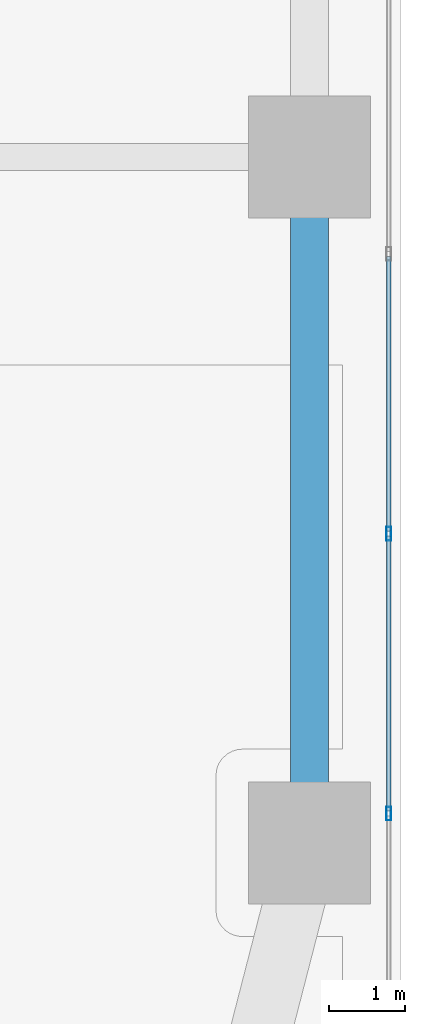
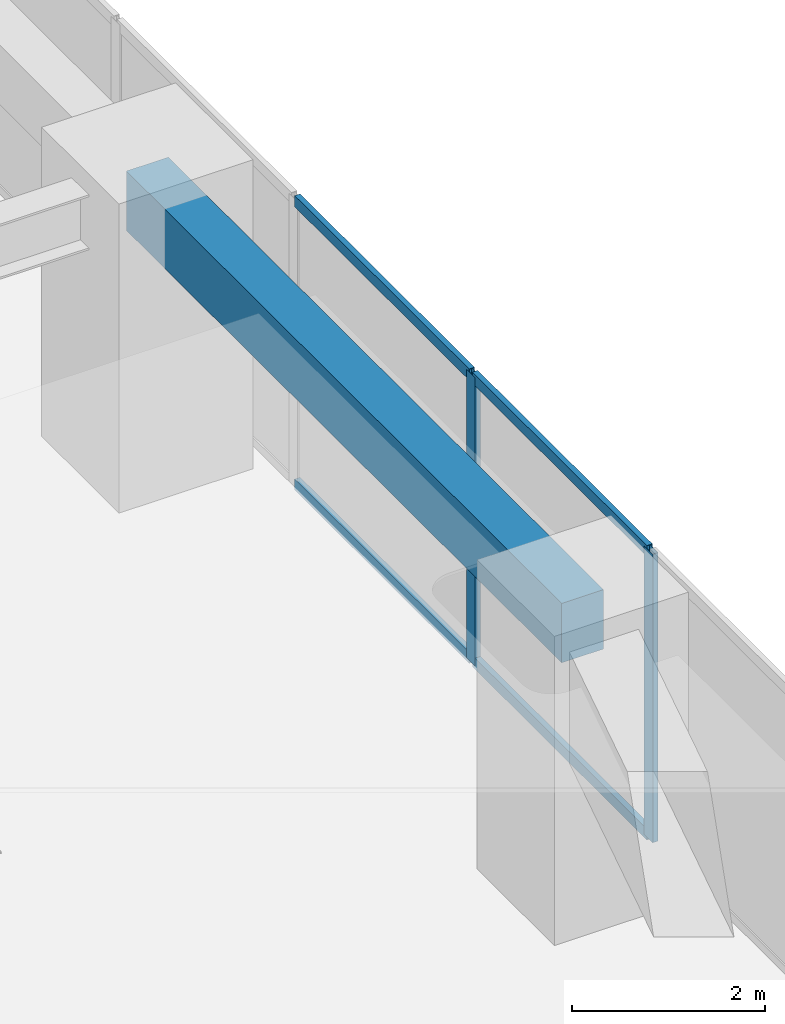
# One storey, part 6 of 28: 6 members, 1 beam, 1 element without a shape of its own.
"""IFC4 building model written with IfcOpenShell, lengths in metres."""

from ifc_helpers import new_model, si_unit, direction, frame, origin, origin_2d, place, context, subcontext, project, spatial, rectangle, hollow_rectangle, extrude, material, layer, layer_set, material_profile, profile_set, type_object, element, aggregate, save


model = new_model("IFC4")

# Units and contexts
model_context = context("Model", 3, precision=1e-05, world=origin(), true_north=direction((0.0, 1.0)))
body_context = subcontext(model_context, "Body", "Model", "MODEL_VIEW")
ifc_project = project(units=[si_unit("LENGTHUNIT", "METRE"), si_unit("AREAUNIT", "SQUARE_METRE"), si_unit("VOLUMEUNIT", "CUBIC_METRE"), si_unit("PLANEANGLEUNIT", "RADIAN"), si_unit("MASSUNIT", "GRAM", prefix="KILO")], contexts=[model_context])

# Site, building, storey
site_placement = place(None, origin())
site = spatial("IfcSite", under=ifc_project, at=site_placement, CompositionType="ELEMENT")
building_placement = place(site_placement, origin())
building = spatial("IfcBuilding", under=site, at=building_placement, Name="Kiyonajd Concourse Tower", CompositionType="ELEMENT")
storey_placement = place(building_placement, frame((0.0, 0.0, 33.300048828125)))
storey = spatial("IfcBuildingStorey", under=building, at=storey_placement, Name="L09", CompositionType="ELEMENT", Elevation=33.300048828125)

# Beam
ifc_material_1 = material(Name="Precast concrete C50/60", Category="concrete")
ifc_material_profile_1 = material_profile(ifc_material_1, rectangle(XDim=0.5, YDim=0.75, at=origin_2d()), Name="RCBM-500x750")
ifc_profile_set_1 = profile_set([ifc_material_profile_1], Name="Precast concrete C50/60")
beam_type = type_object("IfcBeamType", Name="BM-SPAN-RC", PredefinedType="SPANDREL", material=ifc_profile_set_1)
beam_placement = place(storey_placement, frame((78.0, 18.60009765625, 3.264892578125), z_axis=(0.0, 1.0, 0.0), x_axis=(-1.0, 0.0, 0.0)))
element("IfcBeam", 1, at=beam_placement, inside=storey, type_object=beam_type, Name="L09 Perimeter Bundled Tube Spandrel", PredefinedType="SPANDREL", context=body_context, shape_type="SweptSolid", body=[
    extrude(rectangle(XDim=0.5, YDim=0.75, at=origin_2d()), origin(), (0.0, 0.0, 1.0), 9.0),
])

# Curtain wall, members
ifc_material_2 = material(Name="Thermally Broken Anodised Aluminium", Category="aluminium")
ifc_layer = layer(ifc_material_2, 0.179931640625)
ifc_layer_set = layer_set([ifc_layer], Name="Thermally Broken Anodised Aluminium")
curtain_wall_type = type_object("IfcCurtainWallType", Name="CW-SYS-02", PredefinedType="NOTDEFINED", material=ifc_layer_set)
curtain_wall_placement = place(storey_placement, origin())
curtain_wall = element("IfcCurtainWall", 2, at=curtain_wall_placement, inside=storey, type_object=curtain_wall_type, Name="L09 Unitised Curtain Wall CW2", PredefinedType="NOTDEFINED")
ifc_material_profile_2 = material_profile(ifc_material_2, hollow_rectangle(XDim=0.06494140625, YDim=0.179931640625, WallThickness=0.00390625, at=origin_2d()), Name="MULL-65x180")
ifc_profile_set_2 = profile_set([ifc_material_profile_2], Name="Thermally Broken Anodised Aluminium")
member_type_1 = type_object("IfcMemberType", Name="MB-CW-MULL1", PredefinedType="MULLION", material=ifc_profile_set_2)
member_1_placement = place(storey_placement, frame((79.0400390625, 22.657470703125, 0.0), z_axis=(0.0, 0.0, 1.0), x_axis=(1.0, 0.0, 0.0)))
member_1 = element("IfcMember", 3, at=member_1_placement, type_object=member_type_1, Name="CW2 mullion 5", PredefinedType="MULLION", context=body_context, shape_type="SweptSolid", body=[
    extrude(hollow_rectangle(XDim=0.06494140625, YDim=0.179931640625, WallThickness=0.00390625, at=origin_2d()), origin(), (0.0, 0.0, 1.0), 3.639892578125),
])
member_2_placement = place(storey_placement, frame((79.0400390625, 18.984130859375, 0.0), z_axis=(0.0, 0.0, 1.0), x_axis=(1.0, 0.0, 0.0)))
member_2 = element("IfcMember", 4, at=member_2_placement, type_object=member_type_1, Name="CW2 mullion 6", PredefinedType="MULLION", context=body_context, shape_type="SweptSolid", body=[
    extrude(hollow_rectangle(XDim=0.06494140625, YDim=0.179931640625, WallThickness=0.00390625, at=origin_2d()), origin(), (0.0, 0.0, 1.0), 3.639892578125),
])
ifc_material_profile_3 = material_profile(ifc_material_2, hollow_rectangle(XDim=0.06494140625, YDim=0.139892578125, WallThickness=0.00390625, at=origin_2d()), Name="TRAN-65x140")
ifc_profile_set_3 = profile_set([ifc_material_profile_3], Name="Thermally Broken Anodised Aluminium")
member_type_2 = type_object("IfcMemberType", Name="MB-CW-TRAN1", PredefinedType="USERDEFINED", material=ifc_profile_set_3)
member_3_placement = place(storey_placement, frame((79.0400390625, 26.298095703125, 0.032470703125), z_axis=(0.0, -1.0, 0.0), x_axis=(1.0, 0.0, 0.0)))
member_3 = element("IfcMember", 5, at=member_3_placement, type_object=member_type_2, Name="CW2 transom 4.1", ObjectType="TRANSOM", PredefinedType="USERDEFINED", context=body_context, shape_type="SweptSolid", body=[
    extrude(hollow_rectangle(XDim=0.06494140625, YDim=0.139892578125, WallThickness=0.00390625, at=origin_2d()), origin(), (0.0, 0.0, 1.0), 3.608154296875),
])
member_4_placement = place(storey_placement, frame((79.0400390625, 26.298095703125, 3.607421875), z_axis=(0.0, -1.0, 0.0), x_axis=(1.0, 0.0, 0.0)))
member_4 = element("IfcMember", 6, at=member_4_placement, type_object=member_type_2, Name="CW2 transom 4.2", ObjectType="TRANSOM", PredefinedType="USERDEFINED", context=body_context, shape_type="SweptSolid", body=[
    extrude(hollow_rectangle(XDim=0.06494140625, YDim=0.139892578125, WallThickness=0.00390625, at=origin_2d()), origin(), (0.0, 0.0, 1.0), 3.608154296875),
])
member_5_placement = place(storey_placement, frame((79.0400390625, 22.625, 0.032470703125), z_axis=(0.0, -1.0, 0.0), x_axis=(1.0, 0.0, 0.0)))
member_5 = element("IfcMember", 7, at=member_5_placement, type_object=member_type_2, Name="CW2 transom 5.1", ObjectType="TRANSOM", PredefinedType="USERDEFINED", context=body_context, shape_type="SweptSolid", body=[
    extrude(hollow_rectangle(XDim=0.06494140625, YDim=0.139892578125, WallThickness=0.00390625, at=origin_2d()), origin(), (0.0, 0.0, 1.0), 3.608154296875),
])
member_6_placement = place(storey_placement, frame((79.0400390625, 22.625, 3.607421875), z_axis=(0.0, -1.0, 0.0), x_axis=(1.0, 0.0, 0.0)))
member_6 = element("IfcMember", 8, at=member_6_placement, type_object=member_type_2, Name="CW2 transom 5.2", ObjectType="TRANSOM", PredefinedType="USERDEFINED", context=body_context, shape_type="SweptSolid", body=[
    extrude(hollow_rectangle(XDim=0.06494140625, YDim=0.139892578125, WallThickness=0.00390625, at=origin_2d()), origin(), (0.0, 0.0, 1.0), 3.608154296875),
])
aggregate(curtain_wall, [member_1, member_2, member_3, member_4, member_5, member_6])

save(model, "model.ifc")
